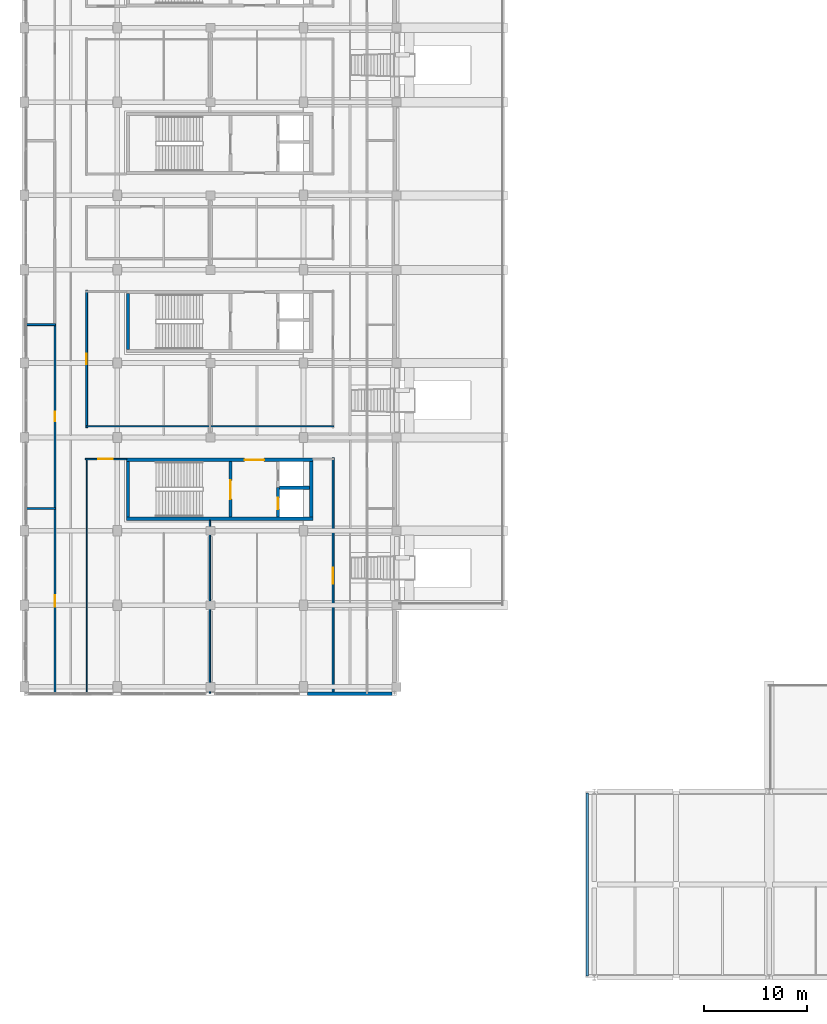
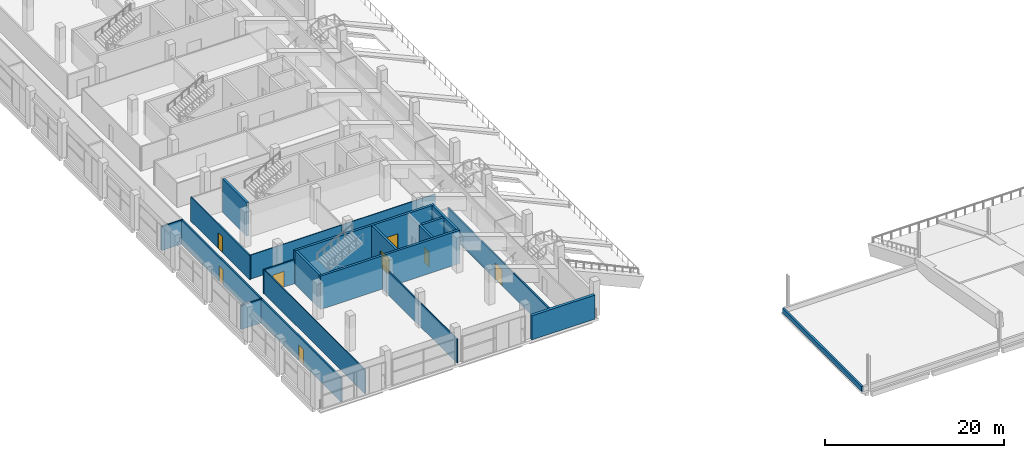
# One storey, part 47 of 66: 21 walls, 8 doors, 8 openings.
"""IFC4 building model written with IfcOpenShell, lengths in metres."""

from ifc_helpers import new_model, si_unit, direction, frame, frame_2d, origin, place, context, subcontext, project, spatial, rectangle, extrude, material, layer, layer_set, type_object, element, fill, save


model = new_model("IFC4")

# Units and contexts
model_context = context("Model", 3, precision=1e-05, world=origin(), true_north=direction((0.0, 1.0)))
body_context = subcontext(model_context, "Body", "Model", "MODEL_VIEW")
ifc_project = project(units=[si_unit("LENGTHUNIT", "METRE"), si_unit("AREAUNIT", "SQUARE_METRE"), si_unit("VOLUMEUNIT", "CUBIC_METRE"), si_unit("PLANEANGLEUNIT", "RADIAN"), si_unit("MASSUNIT", "GRAM", prefix="KILO"), si_unit("THERMODYNAMICTEMPERATUREUNIT", "KELVIN"), si_unit("POWERUNIT", "WATT")], contexts=[model_context])

# Site, building, storey
site_placement = place(None, origin())
site = spatial("IfcSite", under=ifc_project, at=site_placement, CompositionType="ELEMENT")
building_placement = place(site_placement, origin())
building = spatial("IfcBuilding", under=site, at=building_placement, Name="Sindhuravela Promenade Stadium", CompositionType="ELEMENT")
storey_placement = place(building_placement, frame((0.0, 0.0, 19.199951171875)))
storey = spatial("IfcBuildingStorey", under=building, at=storey_placement, Name="L04", CompositionType="ELEMENT", Elevation=19.199951171875)

# Walls
ifc_material_1 = material(Name="Terracotta clay brick masonry (15 MPa)", Category="masonry")
ifc_layer_1 = layer(ifc_material_1, 0.360107421875)
ifc_layer_set_1 = layer_set([ifc_layer_1], Name="Terracotta clay brick masonry (15 MPa)")
wall_type_1 = type_object("IfcWallType", Name="EX-WL-BRK360", PredefinedType="SOLIDWALL", material=ifc_layer_set_1)
wall_1_placement = place(storey_placement, frame((35.570068359375, 36.449951171875, 0.0), z_axis=(0.0, 0.0, 1.0), x_axis=(-1.0, 0.0, 0.0)))
element("IfcWall", 1, at=wall_1_placement, inside=storey, type_object=wall_type_1, Name="Exterior masonry wall EW05 WEST L04", PredefinedType="SOLIDWALL", context=body_context, shape_type="SweptSolid", body=[
    extrude(rectangle(XDim=8.1650390625, YDim=0.360107421875, at=frame_2d((4.08251953125, 0.0))), origin(), (0.0, 0.0, 1.0), 3.280029296875),
])
ifc_material_2 = material(Name="Dholpur sandstone ashlar (45 MPa)", Category="masonry")
ifc_layer_2 = layer(ifc_material_2, 0.25)
ifc_layer_set_2 = layer_set([ifc_layer_2], Name="Dholpur sandstone ashlar (45 MPa)")
wall_type_2 = type_object("IfcWallType", Name="EX-WL-PAR250", PredefinedType="PARAPET", material=ifc_layer_set_2)
wall_2_placement = place(storey_placement, frame((54.409912109375, 9.159912109375, 0.0), z_axis=(0.0, 0.0, 1.0), x_axis=(0.0, 1.0, 0.0)))
element("IfcWall", 2, at=wall_2_placement, inside=storey, type_object=wall_type_2, Name="Maintenance roof parapet SOUTH 15", PredefinedType="PARAPET", context=body_context, shape_type="SweptSolid", body=[
    extrude(rectangle(XDim=17.68017578125, YDim=0.25, at=frame_2d((8.840087890625, 0.0))), origin(), (0.0, 0.0, 1.0), 0.650146484375),
])
ifc_material_3 = material(Name="Fire-rated gypsum partition board", Category="gypsum")
ifc_layer_3 = layer(ifc_material_3, 0.110107421875)
ifc_layer_set_3 = layer_set([ifc_layer_3], Name="Fire-rated gypsum partition board")
wall_type_3 = type_object("IfcWallType", Name="IN-WL-PAR110", PredefinedType="PARTITIONING", material=ifc_layer_set_3)
wall_3_placement = place(storey_placement, frame((6.0400390625, 36.48291015625, 0.0), z_axis=(0.0, 0.0, 1.0), x_axis=(0.0, 1.0, 0.0)))
element("IfcWall", 3, at=wall_3_placement, inside=storey, type_object=wall_type_3, Name="Interior partition IW06 WEST L04", PredefinedType="PARTITIONING", context=body_context, shape_type="SweptSolid", body=[
    extrude(rectangle(XDim=22.70703125, YDim=0.110107421875, at=frame_2d((11.353515625, 0.0))), origin(), (0.0, 0.0, 1.0), 3.280029296875),
])
for number, where, z_axis, x_axis, name in (
    (4, (17.909912109375, 62.2900390625, 0.0), (0.0, 0.0, 1.0), (-1.0, 0.0, 0.0), "Interior partition IW06 WEST L04"),
    (5, (29.93994140625, 62.2900390625, 0.0), (0.0, 0.0, 1.0), (-1.0, 0.0, 0.0), "Interior partition IW06 WEST L04"),
):
    element("IfcWall", number, at=place(storey_placement, frame(where, z_axis=z_axis, x_axis=x_axis)), inside=storey, type_object=wall_type_3, Name=name, PredefinedType="PARTITIONING", context=body_context, shape_type="SweptSolid", body=[
        extrude(rectangle(XDim=11.949951171875, YDim=0.110107421875, at=frame_2d((5.97509765625, 0.0))), origin(), (0.0, 0.0, 1.0), 3.280029296875),
    ])
ifc_layer_4 = layer(ifc_material_3, 0.1298828125)
ifc_layer_set_4 = layer_set([ifc_layer_4], Name="Fire-rated gypsum partition board")
wall_type_4 = type_object("IfcWallType", Name="IN-WL-PAR130", PredefinedType="PARTITIONING", material=ifc_layer_set_4)
wall_4_placement = place(storey_placement, frame((17.949951171875, 53.197998046875, 0.0), z_axis=(0.0, 0.0, 1.0), x_axis=(0.0, -1.0, 0.0)))
element("IfcWall", 6, at=wall_4_placement, inside=storey, type_object=wall_type_4, Name="Interior partition IW05 WEST L04", PredefinedType="PARTITIONING", context=body_context, shape_type="SweptSolid", body=[
    extrude(rectangle(XDim=16.7080078125, YDim=0.1298828125, at=frame_2d((8.35400390625, 0.0))), origin(), (0.0, 0.0, 1.0), 3.280029296875),
])

# Wall, opening, door
ifc_layer_5 = layer(ifc_material_3, 0.14990234375)
ifc_layer_set_5 = layer_set([ifc_layer_5], Name="Fire-rated gypsum partition board")
wall_type_5 = type_object("IfcWallType", Name="IN-WL-PAR150", PredefinedType="PARTITIONING", material=ifc_layer_set_5)
wall_5_placement = place(storey_placement, frame((9.89794921875, 59.110107421875, 0.0), z_axis=(0.0, 0.0, 1.0), x_axis=(-1.0, 0.0, 0.0)))
wall_5 = element("IfcWall", 7, at=wall_5_placement, inside=storey, type_object=wall_type_5, Name="Corridor partition IW04 West Upper Concourse Hall", PredefinedType="PARTITIONING", context=body_context, shape_type="SweptSolid", body=[
    extrude(rectangle(XDim=3.97802734375, YDim=0.14990234375, at=frame_2d((1.989013671875, 0.0))), origin(), (0.0, 0.0, 1.0), 3.280029296875),
])
opening_1_placement = place(wall_5_placement, frame((1.327880859375, 0.0, 0.0)))
opening_1 = element("IfcOpeningElement", 8, at=opening_1_placement, cuts=wall_5, Name="Opening ID03", PredefinedType="OPENING", context=body_context, shape_type="SweptSolid", body=[
    extrude(rectangle(XDim=1.39990234375, YDim=2.14990234375, at=frame_2d((0.699951171875, 1.074951171875))), frame((0.0, 0.0849609375, 0.0), z_axis=(0.0, -1.0, 0.0), x_axis=(1.0, 0.0, 0.0)), (0.0, 0.0, 1.0), 0.169921875),
])
ifc_material_4 = material(Name="Architectural teak timber leaf", Category="wood")
door_type_1 = type_object("IfcDoorType", Name="DR-INT-1400x2150", OperationType="DOUBLE_DOOR_SINGLE_SWING", PredefinedType="DOOR", material=ifc_material_4)
door_1_placement = place(opening_1_placement, origin())
door_1 = element("IfcDoor", 9, at=door_1_placement, inside=storey, type_object=door_type_1, Name="West Upper Concourse Hall door", OperationType="DOUBLE_DOOR_SINGLE_SWING", OverallHeight=2.14990234375, OverallWidth=1.39990234375, PredefinedType="DOOR", context=body_context, shape_type="SweptSolid", body=[
    extrude(rectangle(XDim=1.39990234375, YDim=2.14990234375, at=frame_2d((0.699951171875, 1.074951171875))), frame((0.0, 0.02490234375, 0.0), z_axis=(0.0, -1.0, 0.0), x_axis=(1.0, 0.0, 0.0)), (0.0, 0.0, 1.0), 0.050048828125),
])
fill(opening_1, door_1)

ifc_layer_6 = layer(ifc_material_3, 0.175048828125)
ifc_layer_set_6 = layer_set([ifc_layer_6], Name="Fire-rated gypsum partition board")
wall_type_6 = type_object("IfcWallType", Name="IN-WL-PAR175", PredefinedType="PARTITIONING", material=ifc_layer_set_6)
wall_6_placement = place(storey_placement, frame((29.860107421875, 36.449951171875, 0.0), z_axis=(0.0, 0.0, 1.0), x_axis=(0.0, 1.0, 0.0)))
wall_6 = element("IfcWall", 10, at=wall_6_placement, inside=storey, type_object=wall_type_6, Name="Corridor partition IW03 Upper Concourse Food Kiosk W4", PredefinedType="PARTITIONING", context=body_context, shape_type="SweptSolid", body=[
    extrude(rectangle(XDim=22.780029296875, YDim=0.175048828125, at=frame_2d((11.39013671875, 0.0))), origin(), (0.0, 0.0, 1.0), 3.280029296875),
])
opening_2_placement = place(wall_6_placement, frame((10.614990234375, 0.0, 0.0)))
opening_2 = element("IfcOpeningElement", 11, at=opening_2_placement, cuts=wall_6, Name="Opening ID02", PredefinedType="OPENING", context=body_context, shape_type="SweptSolid", body=[
    extrude(rectangle(XDim=1.550048828125, YDim=2.199951171875, at=frame_2d((0.77490234375, 1.10009765625))), frame((0.0, 0.097412109375, 0.0), z_axis=(0.0, -1.0, 0.0), x_axis=(1.0, 0.0, 0.0)), (0.0, 0.0, 1.0), 0.195068359375),
])
door_type_2 = type_object("IfcDoorType", Name="DR-INT-1550x2200", OperationType="DOUBLE_DOOR_SINGLE_SWING", PredefinedType="DOOR", material=ifc_material_4)
door_2_placement = place(opening_2_placement, origin())
door_2 = element("IfcDoor", 12, at=door_2_placement, inside=storey, type_object=door_type_2, Name="Upper Concourse Food Kiosk W4 door", OperationType="DOUBLE_DOOR_SINGLE_SWING", OverallHeight=2.199951171875, OverallWidth=1.550048828125, PredefinedType="DOOR", context=body_context, shape_type="SweptSolid", body=[
    extrude(rectangle(XDim=1.550048828125, YDim=2.199951171875, at=frame_2d((0.77490234375, 1.10009765625))), frame((0.0, 0.02490234375, 0.0), z_axis=(0.0, -1.0, 0.0), x_axis=(1.0, 0.0, 0.0)), (0.0, 0.0, 1.0), 0.050048828125),
])
fill(opening_2, door_2)

wall_7_placement = place(storey_placement, frame((6.0400390625, 75.429931640625, 0.0), z_axis=(0.0, 0.0, 1.0), x_axis=(0.0, -1.0, 0.0)))
wall_7 = element("IfcWall", 13, at=wall_7_placement, inside=storey, type_object=wall_type_6, Name="Corridor partition IW03 Supporter Welfare Room West", PredefinedType="PARTITIONING", context=body_context, shape_type="SweptSolid", body=[
    extrude(rectangle(XDim=13.260009765625, YDim=0.175048828125, at=frame_2d((6.6298828125, 0.0))), origin(), (0.0, 0.0, 1.0), 3.280029296875),
])
opening_3_placement = place(wall_7_placement, frame((6.1201171875, 0.0, 0.0)))
opening_3 = element("IfcOpeningElement", 14, at=opening_3_placement, cuts=wall_7, Name="Opening ID11", PredefinedType="OPENING", context=body_context, shape_type="SweptSolid", body=[
    extrude(rectangle(XDim=1.02001953125, YDim=2.159912109375, at=frame_2d((0.510009765625, 1.080078125))), frame((0.0, 0.097412109375, 0.0), z_axis=(0.0, -1.0, 0.0), x_axis=(1.0, 0.0, 0.0)), (0.0, 0.0, 1.0), 0.195068359375),
])
door_type_3 = type_object("IfcDoorType", Name="DR-INT-1020x2160", OperationType="NOTDEFINED", PredefinedType="DOOR", material=ifc_material_4)
door_3_placement = place(opening_3_placement, origin())
door_3 = element("IfcDoor", 15, at=door_3_placement, inside=storey, type_object=door_type_3, Name="Supporter Welfare Room West door", OperationType="SINGLE_SWING_LEFT", OverallHeight=2.159912109375, OverallWidth=1.02001953125, PredefinedType="DOOR", context=body_context, shape_type="SweptSolid", body=[
    extrude(rectangle(XDim=1.02001953125, YDim=2.159912109375, at=frame_2d((0.510009765625, 1.080078125))), frame((0.0, 0.02490234375, 0.0), z_axis=(0.0, -1.0, 0.0), x_axis=(1.0, 0.0, 0.0)), (0.0, 0.0, 1.0), 0.050048828125),
])
fill(opening_3, door_3)

# Walls
for number, where, z_axis, x_axis, name in (
    (16, (0.23291015625, 54.342041015625, 0.0), (0.0, 0.0, 1.0), (1.0, 0.0, 0.0), "Interior partition IW03 WEST L04"),
    (17, (0.23291015625, 72.114013671875, 0.0), (0.0, 0.0, 1.0), (1.0, 0.0, 0.0), "Interior partition IW03 WEST L04"),
):
    element("IfcWall", number, at=place(storey_placement, frame(where, z_axis=z_axis, x_axis=x_axis)), inside=storey, type_object=wall_type_6, Name=name, PredefinedType="PARTITIONING", context=body_context, shape_type="SweptSolid", body=[
        extrude(rectangle(XDim=2.80712890625, YDim=0.175048828125, at=frame_2d((1.403564453125, 0.0))), origin(), (0.0, 0.0, 1.0), 3.280029296875),
    ])

# Wall, opening, door
ifc_layer_7 = layer(ifc_material_3, 0.195068359375)
ifc_layer_set_7 = layer_set([ifc_layer_7], Name="Fire-rated gypsum partition board")
wall_type_7 = type_object("IfcWallType", Name="IN-WL-PAR195", PredefinedType="PARTITIONING", material=ifc_layer_set_7)
wall_8_placement = place(storey_placement, frame((2.9599609375, 36.449951171875, 0.0), z_axis=(0.0, 0.0, 1.0), x_axis=(0.0, 1.0, 0.0)))
wall_8 = element("IfcWall", 18, at=wall_8_placement, inside=storey, type_object=wall_type_7, Name="Corridor partition IW02 Upper Concourse Food Kiosk W4 4", PredefinedType="PARTITIONING", context=body_context, shape_type="SweptSolid", body=[
    extrude(rectangle(XDim=17.89208984375, YDim=0.195068359375, at=frame_2d((8.946044921875, 0.0))), origin(), (0.0, 0.0, 1.0), 3.280029296875),
])
opening_4_placement = place(wall_8_placement, frame((8.39599609375, 0.0, 0.0)))
opening_4 = element("IfcOpeningElement", 19, at=opening_4_placement, cuts=wall_8, Name="Opening ID06", PredefinedType="OPENING", context=body_context, shape_type="SweptSolid", body=[
    extrude(rectangle(XDim=1.10009765625, YDim=2.10009765625, at=frame_2d((0.550048828125, 1.050048828125))), frame((0.0, 0.107421875, 0.0), z_axis=(0.0, -1.0, 0.0), x_axis=(1.0, 0.0, 0.0)), (0.0, 0.0, 1.0), 0.215087890625),
])
door_type_4 = type_object("IfcDoorType", Name="DR-INT-1100x2100", OperationType="NOTDEFINED", PredefinedType="DOOR", material=ifc_material_4)
door_4_placement = place(opening_4_placement, origin())
door_4 = element("IfcDoor", 20, at=door_4_placement, inside=storey, type_object=door_type_4, Name="Upper Concourse Food Kiosk W4 4 door", OperationType="SINGLE_SWING_RIGHT", OverallHeight=2.10009765625, OverallWidth=1.10009765625, PredefinedType="DOOR", context=body_context, shape_type="SweptSolid", body=[
    extrude(rectangle(XDim=1.10009765625, YDim=2.10009765625, at=frame_2d((0.550048828125, 1.050048828125))), frame((0.0, 0.02490234375, 0.0), z_axis=(0.0, -1.0, 0.0), x_axis=(1.0, 0.0, 0.0)), (0.0, 0.0, 1.0), 0.050048828125),
])
fill(opening_4, door_4)

wall_9_placement = place(storey_placement, frame((2.9599609375, 54.342041015625, 0.0), z_axis=(0.0, 0.0, 1.0), x_axis=(0.0, 1.0, 0.0)))
wall_9 = element("IfcWall", 21, at=wall_9_placement, inside=storey, type_object=wall_type_7, Name="Corridor partition IW02 Accessible WC West L04 7", PredefinedType="PARTITIONING", context=body_context, shape_type="SweptSolid", body=[
    extrude(rectangle(XDim=17.77197265625, YDim=0.195068359375, at=frame_2d((8.885986328125, 0.0))), origin(), (0.0, 0.0, 1.0), 3.280029296875),
])
opening_5_placement = place(wall_9_placement, frame((8.410888671875, 0.0, 0.0)))
opening_5 = element("IfcOpeningElement", 22, at=opening_5_placement, cuts=wall_9, Name="Opening ID09", PredefinedType="OPENING", context=body_context, shape_type="SweptSolid", body=[
    extrude(rectangle(XDim=0.949951171875, YDim=2.10009765625, at=frame_2d((0.47509765625, 1.050048828125))), frame((0.0, 0.107421875, 0.0), z_axis=(0.0, -1.0, 0.0), x_axis=(1.0, 0.0, 0.0)), (0.0, 0.0, 1.0), 0.215087890625),
])
door_type_5 = type_object("IfcDoorType", Name="DR-INT-950x2100", OperationType="NOTDEFINED", PredefinedType="DOOR", material=ifc_material_4)
door_5_placement = place(opening_5_placement, origin())
door_5 = element("IfcDoor", 23, at=door_5_placement, inside=storey, type_object=door_type_5, Name="Accessible WC West L04 7 door", OperationType="SINGLE_SWING_LEFT", OverallHeight=2.10009765625, OverallWidth=0.949951171875, PredefinedType="DOOR", context=body_context, shape_type="SweptSolid", body=[
    extrude(rectangle(XDim=0.949951171875, YDim=2.10009765625, at=frame_2d((0.47509765625, 1.050048828125))), frame((0.0, 0.02490234375, 0.0), z_axis=(0.0, -1.0, 0.0), x_axis=(1.0, 0.0, 0.0)), (0.0, 0.0, 1.0), 0.050048828125),
])
fill(opening_5, door_5)

# Wall
ifc_material_5 = material(Name="Concrete M50", Category="concrete")
ifc_layer_8 = layer(ifc_material_5, 0.300048828125)
ifc_layer_set_8 = layer_set([ifc_layer_8], Name="Concrete M50")
wall_type_8 = type_object("IfcWallType", Name="RC-SW-300", PredefinedType="SHEAR", material=ifc_layer_set_8)
wall_10_placement = place(storey_placement, frame((9.89990234375, 53.35009765625, 0.0), z_axis=(0.0, 0.0, 1.0), x_axis=(1.0, 0.0, 0.0)))
element("IfcWall", 24, at=wall_10_placement, inside=storey, type_object=wall_type_8, Name="Core shear wall C01-S (L04)", PredefinedType="SHEAR", context=body_context, shape_type="SweptSolid", body=[
    extrude(rectangle(XDim=18.0, YDim=0.300048828125, at=frame_2d((9.0, 0.0))), origin(), (0.0, 0.0, 1.0), 4.550048828125),
])

# Wall, opening, door
wall_11_placement = place(storey_placement, frame((27.89990234375, 59.050048828125, 0.0), z_axis=(0.0, 0.0, 1.0), x_axis=(-1.0, 0.0, 0.0)))
wall_11 = element("IfcWall", 25, at=wall_11_placement, inside=storey, type_object=wall_type_8, Name="Core shear wall C01-N (L04)", PredefinedType="SHEAR", context=body_context, shape_type="SweptSolid", body=[
    extrude(rectangle(XDim=18.0, YDim=0.300048828125, at=frame_2d((9.0, 0.0))), origin(), (0.0, 0.0, 1.0), 4.550048828125),
])
opening_6_placement = place(wall_11_placement, frame((4.699951171875, 0.0, 0.0)))
opening_6 = element("IfcOpeningElement", 26, at=opening_6_placement, cuts=wall_11, Name="Opening FD02", PredefinedType="OPENING", context=body_context, shape_type="SweptSolid", body=[
    extrude(rectangle(XDim=1.89990234375, YDim=2.25, at=frame_2d((0.949951171875, 1.125))), frame((0.0, 0.159912109375, 0.0), z_axis=(0.0, -1.0, 0.0), x_axis=(1.0, 0.0, 0.0)), (0.0, 0.0, 1.0), 0.320068359375),
])
ifc_material_6 = material(Name="Architectural wrought steel E350", Category="steel")
door_type_6 = type_object("IfcDoorType", Name="DR-LOB-1900x2250", OperationType="DOUBLE_DOOR_SINGLE_SWING", PredefinedType="DOOR", material=ifc_material_6)
door_6_placement = place(opening_6_placement, origin())
door_6 = element("IfcDoor", 27, at=door_6_placement, inside=storey, type_object=door_type_6, Name="Protected lobby entrance door C01 (L04)", OperationType="DOUBLE_DOOR_SINGLE_SWING", OverallHeight=2.25, OverallWidth=1.89990234375, PredefinedType="DOOR", context=body_context, shape_type="SweptSolid", body=[
    extrude(rectangle(XDim=1.89990234375, YDim=2.25, at=frame_2d((0.949951171875, 1.125))), frame((0.0, 0.02490234375, 0.0), z_axis=(0.0, -1.0, 0.0), x_axis=(1.0, 0.0, 0.0)), (0.0, 0.0, 1.0), 0.050048828125),
])
fill(opening_6, door_6)

# Walls
for number, where, z_axis, x_axis, name in (
    (28, (10.050048828125, 58.89990234375, 0.0), (0.0, 0.0, 1.0), (0.0, -1.0, 0.0), "Core shear wall C01-W (L04)"),
    (29, (27.75, 53.5, 0.0), (0.0, 0.0, 1.0), (0.0, 1.0, 0.0), "Core shear wall C01-E (L04)"),
):
    element("IfcWall", number, at=place(storey_placement, frame(where, z_axis=z_axis, x_axis=x_axis)), inside=storey, type_object=wall_type_8, Name=name, PredefinedType="SHEAR", context=body_context, shape_type="SweptSolid", body=[
        extrude(rectangle(XDim=5.39990234375, YDim=0.300048828125, at=frame_2d((2.699951171875, 0.0))), origin(), (0.0, 0.0, 1.0), 4.550048828125),
    ])

# Wall, opening, door
wall_12_placement = place(storey_placement, frame((19.949951171875, 53.5, 0.0), z_axis=(0.0, 0.0, 1.0), x_axis=(0.0, 1.0, 0.0)))
wall_12 = element("IfcWall", 30, at=wall_12_placement, inside=storey, type_object=wall_type_8, Name="Core shear wall C01-ST (L04)", PredefinedType="SHEAR", context=body_context, shape_type="SweptSolid", body=[
    extrude(rectangle(XDim=5.39990234375, YDim=0.300048828125, at=frame_2d((2.699951171875, 0.0))), origin(), (0.0, 0.0, 1.0), 4.550048828125),
])
opening_7_placement = place(wall_12_placement, frame((1.75, 0.0, 0.0)))
opening_7 = element("IfcOpeningElement", 31, at=opening_7_placement, cuts=wall_12, Name="Opening FD01", PredefinedType="OPENING", context=body_context, shape_type="SweptSolid", body=[
    extrude(rectangle(XDim=1.800048828125, YDim=2.25, at=frame_2d((0.89990234375, 1.125))), frame((0.0, 0.159912109375, 0.0), z_axis=(0.0, -1.0, 0.0), x_axis=(1.0, 0.0, 0.0)), (0.0, 0.0, 1.0), 0.320068359375),
])
door_type_7 = type_object("IfcDoorType", Name="DR-CORE-1800x2250", OperationType="DOUBLE_DOOR_SINGLE_SWING", PredefinedType="DOOR", material=ifc_material_6)
door_7_placement = place(opening_7_placement, origin())
door_7 = element("IfcDoor", 32, at=door_7_placement, inside=storey, type_object=door_type_7, Name="Stair ST01 lobby fire door (L04)", OperationType="DOUBLE_DOOR_SINGLE_SWING", OverallHeight=2.25, OverallWidth=1.800048828125, PredefinedType="DOOR", context=body_context, shape_type="SweptSolid", body=[
    extrude(rectangle(XDim=1.800048828125, YDim=2.25, at=frame_2d((0.89990234375, 1.125))), frame((0.0, 0.02490234375, 0.0), z_axis=(0.0, -1.0, 0.0), x_axis=(1.0, 0.0, 0.0)), (0.0, 0.0, 1.0), 0.050048828125),
])
fill(opening_7, door_7)

wall_13_placement = place(storey_placement, frame((24.550048828125, 53.5, 0.0), z_axis=(0.0, 0.0, 1.0), x_axis=(0.0, 1.0, 0.0)))
wall_13 = element("IfcWall", 33, at=wall_13_placement, inside=storey, type_object=wall_type_8, Name="Core shear wall C01-LFT (L04)", PredefinedType="SHEAR", context=body_context, shape_type="SweptSolid", body=[
    extrude(rectangle(XDim=2.85009765625, YDim=0.300048828125, at=frame_2d((1.425048828125, 0.0))), origin(), (0.0, 0.0, 1.0), 4.550048828125),
])
opening_8_placement = place(wall_13_placement, frame((0.77490234375, 0.0, 0.0)))
opening_8 = element("IfcOpeningElement", 34, at=opening_8_placement, cuts=wall_13, Name="Opening LD", PredefinedType="OPENING", context=body_context, shape_type="SweptSolid", body=[
    extrude(rectangle(XDim=1.10009765625, YDim=2.10009765625, at=frame_2d((0.550048828125, 1.050048828125))), frame((0.0, 0.159912109375, 0.0), z_axis=(0.0, -1.0, 0.0), x_axis=(1.0, 0.0, 0.0)), (0.0, 0.0, 1.0), 0.320068359375),
])
door_type_8 = type_object("IfcDoorType", Name="DR-LFT-1100x2100", OperationType="DOUBLE_DOOR_SLIDING", PredefinedType="DOOR", material=ifc_material_6)
door_8_placement = place(opening_8_placement, origin())
door_8 = element("IfcDoor", 35, at=door_8_placement, inside=storey, type_object=door_type_8, Name="Lift FL01 landing door (L04)", OperationType="DOUBLE_DOOR_SLIDING", OverallHeight=2.10009765625, OverallWidth=1.10009765625, PredefinedType="DOOR", context=body_context, shape_type="SweptSolid", body=[
    extrude(rectangle(XDim=1.10009765625, YDim=2.10009765625, at=frame_2d((0.550048828125, 1.050048828125))), frame((0.0, 0.02490234375, 0.0), z_axis=(0.0, -1.0, 0.0), x_axis=(1.0, 0.0, 0.0)), (0.0, 0.0, 1.0), 0.050048828125),
])
fill(opening_8, door_8)

# Walls
wall_14_placement = place(storey_placement, frame((24.699951171875, 56.35009765625, 0.0), z_axis=(0.0, 0.0, 1.0), x_axis=(1.0, 0.0, 0.0)))
element("IfcWall", 36, at=wall_14_placement, inside=storey, type_object=wall_type_8, Name="Core shear wall C01-DIV (L04)", PredefinedType="SHEAR", context=body_context, shape_type="SweptSolid", body=[
    extrude(rectangle(XDim=2.900146484375, YDim=0.300048828125, at=frame_2d((1.4501953125, 0.0))), origin(), (0.0, 0.0, 1.0), 4.550048828125),
])
wall_15_placement = place(storey_placement, frame((10.050048828125, 75.10009765625, 0.0), z_axis=(0.0, 0.0, 1.0), x_axis=(0.0, -1.0, 0.0)))
element("IfcWall", 37, at=wall_15_placement, inside=storey, type_object=wall_type_8, Name="Core shear wall C02-W (L04)", PredefinedType="SHEAR", context=body_context, shape_type="SweptSolid", body=[
    extrude(rectangle(XDim=5.400146484375, YDim=0.300048828125, at=frame_2d((2.7001953125, 0.0))), origin(), (0.0, 0.0, 1.0), 4.550048828125),
])

save(model, "model.ifc")
